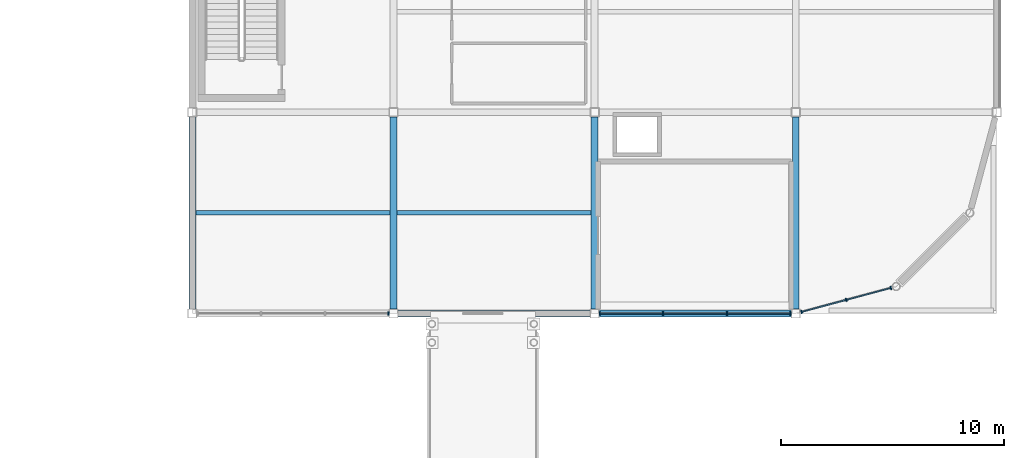
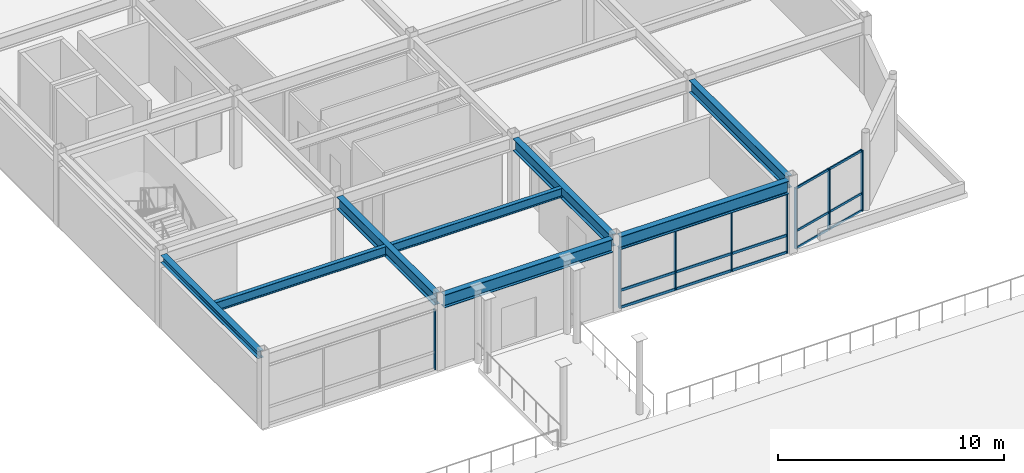
# One storey, part 29 of 53: 23 members, 8 beams, 3 elements without a shape of their own.
"""IFC4 building model written with IfcOpenShell, lengths in metres."""

from ifc_helpers import new_model, si_unit, direction, frame, origin, origin_2d, place, context, subcontext, project, spatial, rectangle, i_section, extrude, material, material_profile, profile_set, type_object, element, aggregate, save


model = new_model("IFC4")

# Units and contexts
model_context = context("Model", 3, precision=1e-05, world=origin(), true_north=direction((0.0, 1.0)))
body_context = subcontext(model_context, "Body", "Model", "MODEL_VIEW")
ifc_project = project(units=[si_unit("LENGTHUNIT", "METRE"), si_unit("AREAUNIT", "SQUARE_METRE"), si_unit("VOLUMEUNIT", "CUBIC_METRE"), si_unit("PLANEANGLEUNIT", "RADIAN"), si_unit("MASSUNIT", "GRAM", prefix="KILO")], contexts=[model_context])

# Site, building, storey
site_placement = place(None, origin())
site = spatial("IfcSite", under=ifc_project, at=site_placement, CompositionType="ELEMENT")
building_placement = place(site_placement, origin())
building = spatial("IfcBuilding", under=site, at=building_placement, Name="Suzunagisa Mobility Hub", CompositionType="ELEMENT")
storey_placement = place(building_placement, frame((0.0, 0.0, 17.699951171875)))
storey = spatial("IfcBuildingStorey", under=building, at=storey_placement, Name="L04", CompositionType="ELEMENT", Elevation=17.699951171875)

# Curtain wall, members
ifc_material_1 = material(Name="Thermally Broken Anodized Aluminum and Low-E Glazing", Category="aluminium")
curtain_wall_type_1 = type_object("IfcCurtainWallType", Name="Unitised Curtain Wall CW-18 8500x3200", PredefinedType="USERDEFINED", material=ifc_material_1)
curtain_wall_1_placement = place(storey_placement, origin())
curtain_wall_1 = element("IfcCurtainWall", 1, at=curtain_wall_1_placement, inside=storey, type_object=curtain_wall_type_1, Name="L04 Unitised Curtain Wall CW-215", ObjectType="UNITISED CURTAIN WALL", PredefinedType="USERDEFINED")
ifc_material_2 = material(Name="Anodized Aluminum 6063-T6", Category="aluminium")
ifc_material_profile_1 = material_profile(ifc_material_2, rectangle(XDim=0.06494140625, YDim=0.139892578125, at=origin_2d()), Name="TRAN-65x140")
ifc_profile_set_1 = profile_set([ifc_material_profile_1], Name="Anodized Aluminum 6063-T6")
member_type_1 = type_object("IfcMemberType", Name="Curtain Wall Framing CM-01 TRAN-65x140", PredefinedType="USERDEFINED", material=ifc_profile_set_1)
member_1_placement = place(storey_placement, frame((162.258056640625, 44.0, 0.032470703125), z_axis=(1.0, 0.0, 0.0), x_axis=(0.0, 1.0, 0.0)))
member_1 = element("IfcMember", 2, at=member_1_placement, type_object=member_type_1, Name="Curtain Wall Transom 215-T1.1", ObjectType="TRANSOM", PredefinedType="USERDEFINED", context=body_context, shape_type="SweptSolid", body=[
    extrude(rectangle(XDim=0.06494140625, YDim=0.139892578125, at=origin_2d()), origin(), (0.0, 0.0, 1.0), 2.78076171875),
])
member_2_placement = place(storey_placement, frame((162.258056640625, 44.0, 0.949951171875), z_axis=(1.0, 0.0, 0.0), x_axis=(0.0, 1.0, 0.0)))
member_2 = element("IfcMember", 3, at=member_2_placement, type_object=member_type_1, Name="Curtain Wall Transom 215-T1.2", ObjectType="TRANSOM", PredefinedType="USERDEFINED", context=body_context, shape_type="SweptSolid", body=[
    extrude(rectangle(XDim=0.06494140625, YDim=0.139892578125, at=origin_2d()), origin(), (0.0, 0.0, 1.0), 2.78076171875),
])
member_3_placement = place(storey_placement, frame((162.258056640625, 44.0, 3.20751953125), z_axis=(1.0, 0.0, 0.0), x_axis=(0.0, 1.0, 0.0)))
member_3 = element("IfcMember", 4, at=member_3_placement, type_object=member_type_1, Name="Curtain Wall Transom 215-T1.3", ObjectType="TRANSOM", PredefinedType="USERDEFINED", context=body_context, shape_type="SweptSolid", body=[
    extrude(rectangle(XDim=0.06494140625, YDim=0.139892578125, at=origin_2d()), origin(), (0.0, 0.0, 1.0), 2.78076171875),
])
member_4_placement = place(storey_placement, frame((165.0947265625, 44.0, 0.032470703125), z_axis=(1.0, 0.0, 0.0), x_axis=(0.0, 1.0, 0.0)))
member_4 = element("IfcMember", 5, at=member_4_placement, type_object=member_type_1, Name="Curtain Wall Transom 215-T2.1", ObjectType="TRANSOM", PredefinedType="USERDEFINED", context=body_context, shape_type="SweptSolid", body=[
    extrude(rectangle(XDim=0.06494140625, YDim=0.139892578125, at=origin_2d()), origin(), (0.0, 0.0, 1.0), 2.810546875),
])
member_5_placement = place(storey_placement, frame((165.0947265625, 44.0, 0.949951171875), z_axis=(1.0, 0.0, 0.0), x_axis=(0.0, 1.0, 0.0)))
member_5 = element("IfcMember", 6, at=member_5_placement, type_object=member_type_1, Name="Curtain Wall Transom 215-T2.2", ObjectType="TRANSOM", PredefinedType="USERDEFINED", context=body_context, shape_type="SweptSolid", body=[
    extrude(rectangle(XDim=0.06494140625, YDim=0.139892578125, at=origin_2d()), origin(), (0.0, 0.0, 1.0), 2.810546875),
])
member_6_placement = place(storey_placement, frame((165.0947265625, 44.0, 3.20751953125), z_axis=(1.0, 0.0, 0.0), x_axis=(0.0, 1.0, 0.0)))
member_6 = element("IfcMember", 7, at=member_6_placement, type_object=member_type_1, Name="Curtain Wall Transom 215-T2.3", ObjectType="TRANSOM", PredefinedType="USERDEFINED", context=body_context, shape_type="SweptSolid", body=[
    extrude(rectangle(XDim=0.06494140625, YDim=0.139892578125, at=origin_2d()), origin(), (0.0, 0.0, 1.0), 2.810546875),
])
member_7_placement = place(storey_placement, frame((167.961181640625, 44.0, 0.032470703125), z_axis=(1.0, 0.0, 0.0), x_axis=(0.0, 1.0, 0.0)))
member_7 = element("IfcMember", 8, at=member_7_placement, type_object=member_type_1, Name="Curtain Wall Transom 215-T3.1", ObjectType="TRANSOM", PredefinedType="USERDEFINED", context=body_context, shape_type="SweptSolid", body=[
    extrude(rectangle(XDim=0.06494140625, YDim=0.139892578125, at=origin_2d()), origin(), (0.0, 0.0, 1.0), 2.78076171875),
])
member_8_placement = place(storey_placement, frame((167.961181640625, 44.0, 0.949951171875), z_axis=(1.0, 0.0, 0.0), x_axis=(0.0, 1.0, 0.0)))
member_8 = element("IfcMember", 9, at=member_8_placement, type_object=member_type_1, Name="Curtain Wall Transom 215-T3.2", ObjectType="TRANSOM", PredefinedType="USERDEFINED", context=body_context, shape_type="SweptSolid", body=[
    extrude(rectangle(XDim=0.06494140625, YDim=0.139892578125, at=origin_2d()), origin(), (0.0, 0.0, 1.0), 2.78076171875),
])
member_9_placement = place(storey_placement, frame((167.961181640625, 44.0, 3.20751953125), z_axis=(1.0, 0.0, 0.0), x_axis=(0.0, 1.0, 0.0)))
member_9 = element("IfcMember", 10, at=member_9_placement, type_object=member_type_1, Name="Curtain Wall Transom 215-T3.3", ObjectType="TRANSOM", PredefinedType="USERDEFINED", context=body_context, shape_type="SweptSolid", body=[
    extrude(rectangle(XDim=0.06494140625, YDim=0.139892578125, at=origin_2d()), origin(), (0.0, 0.0, 1.0), 2.78076171875),
])

curtain_wall_type_2 = type_object("IfcCurtainWallType", Name="Unitised Curtain Wall CW-06 4250x3300", PredefinedType="USERDEFINED", material=ifc_material_1)
curtain_wall_2_placement = place(storey_placement, origin())
curtain_wall_2 = element("IfcCurtainWall", 11, at=curtain_wall_2_placement, inside=storey, type_object=curtain_wall_type_2, Name="L04 Unitised Curtain Wall CW-216", ObjectType="UNITISED CURTAIN WALL", PredefinedType="USERDEFINED")
ifc_material_profile_2 = material_profile(ifc_material_2, rectangle(XDim=0.06005859375, YDim=0.1201171875, at=origin_2d()), Name="TRAN-60x120")
ifc_profile_set_2 = profile_set([ifc_material_profile_2], Name="Anodized Aluminum 6063-T6")
member_type_2 = type_object("IfcMemberType", Name="Curtain Wall Framing CM-02 TRAN-60x120", PredefinedType="USERDEFINED", material=ifc_profile_set_2)
member_10_placement = place(storey_placement, frame((171.29248046875, 44.078369140625, 0.030029296875), z_axis=(0.965930179601, 0.258802797775, 0.0), x_axis=(-0.258802797775, 0.965930179601, 0.0)))
member_10 = element("IfcMember", 12, at=member_10_placement, type_object=member_type_2, Name="Curtain Wall Transom 216-T1.1", ObjectType="TRANSOM", PredefinedType="USERDEFINED", context=body_context, shape_type="SweptSolid", body=[
    extrude(rectangle(XDim=0.06005859375, YDim=0.1201171875, at=origin_2d()), origin(), (0.0, 0.0, 1.0), 2.01220703125),
])
member_11_placement = place(storey_placement, frame((171.29248046875, 44.078369140625, 0.949951171875), z_axis=(0.965930179601, 0.258802797775, 0.0), x_axis=(-0.258802797775, 0.965930179601, 0.0)))
member_11 = element("IfcMember", 13, at=member_11_placement, type_object=member_type_2, Name="Curtain Wall Transom 216-T1.2", ObjectType="TRANSOM", PredefinedType="USERDEFINED", context=body_context, shape_type="SweptSolid", body=[
    extrude(rectangle(XDim=0.06005859375, YDim=0.1201171875, at=origin_2d()), origin(), (0.0, 0.0, 1.0), 2.01220703125),
])
member_12_placement = place(storey_placement, frame((171.29248046875, 44.078369140625, 3.260009765625), z_axis=(0.965930179601, 0.258802797775, 0.0), x_axis=(-0.258802797775, 0.965930179601, 0.0)))
member_12 = element("IfcMember", 14, at=member_12_placement, type_object=member_type_2, Name="Curtain Wall Transom 216-T1.3", ObjectType="TRANSOM", PredefinedType="USERDEFINED", context=body_context, shape_type="SweptSolid", body=[
    extrude(rectangle(XDim=0.06005859375, YDim=0.1201171875, at=origin_2d()), origin(), (0.0, 0.0, 1.0), 2.01220703125),
])
member_13_placement = place(storey_placement, frame((173.290283203125, 44.61376953125, 0.030029296875), z_axis=(0.965922051438, 0.258833132628, 0.0), x_axis=(-0.258833132628, 0.965922051438, 0.0)))
member_13 = element("IfcMember", 15, at=member_13_placement, type_object=member_type_2, Name="Curtain Wall Transom 216-T2.1", ObjectType="TRANSOM", PredefinedType="USERDEFINED", context=body_context, shape_type="SweptSolid", body=[
    extrude(rectangle(XDim=0.06005859375, YDim=0.1201171875, at=origin_2d()), origin(), (0.0, 0.0, 1.0), 2.011962890625),
])
member_14_placement = place(storey_placement, frame((173.290283203125, 44.61376953125, 0.949951171875), z_axis=(0.965922051438, 0.258833132628, 0.0), x_axis=(-0.258833132628, 0.965922051438, 0.0)))
member_14 = element("IfcMember", 16, at=member_14_placement, type_object=member_type_2, Name="Curtain Wall Transom 216-T2.2", ObjectType="TRANSOM", PredefinedType="USERDEFINED", context=body_context, shape_type="SweptSolid", body=[
    extrude(rectangle(XDim=0.06005859375, YDim=0.1201171875, at=origin_2d()), origin(), (0.0, 0.0, 1.0), 2.011962890625),
])
member_15_placement = place(storey_placement, frame((173.290283203125, 44.61376953125, 3.260009765625), z_axis=(0.965922051438, 0.258833132628, 0.0), x_axis=(-0.258833132628, 0.965922051438, 0.0)))
member_15 = element("IfcMember", 17, at=member_15_placement, type_object=member_type_2, Name="Curtain Wall Transom 216-T2.3", ObjectType="TRANSOM", PredefinedType="USERDEFINED", context=body_context, shape_type="SweptSolid", body=[
    extrude(rectangle(XDim=0.06005859375, YDim=0.1201171875, at=origin_2d()), origin(), (0.0, 0.0, 1.0), 2.011962890625),
])

# Curtain wall, member
curtain_wall_3_placement = place(storey_placement, origin())
curtain_wall_3 = element("IfcCurtainWall", 18, at=curtain_wall_3_placement, inside=storey, type_object=curtain_wall_type_1, Name="L04 Unitised Curtain Wall CW-214", ObjectType="UNITISED CURTAIN WALL", PredefinedType="USERDEFINED")
ifc_material_profile_3 = material_profile(ifc_material_2, rectangle(XDim=0.06005859375, YDim=0.14990234375, at=origin_2d()), Name="MULL-60x150")
ifc_profile_set_3 = profile_set([ifc_material_profile_3], Name="Anodized Aluminum 6063-T6")
member_type_3 = type_object("IfcMemberType", Name="Curtain Wall Framing CM-03 MULL-60x150", PredefinedType="MULLION", material=ifc_profile_set_3)
member_16_placement = place(storey_placement, frame((152.77001953125, 44.0, 0.0), z_axis=(0.0, 0.0, 1.0), x_axis=(1.0, 0.0, 0.0)))
member_16 = element("IfcMember", 19, at=member_16_placement, type_object=member_type_3, Name="Curtain Wall Mullion 214-M4", PredefinedType="MULLION", context=body_context, shape_type="SweptSolid", body=[
    extrude(rectangle(XDim=0.06005859375, YDim=0.14990234375, at=origin_2d()), origin(), (0.0, 0.0, 1.0), 3.239990234375),
])
aggregate(curtain_wall_3, [member_16])

# Member
member_17_placement = place(storey_placement, frame((162.22998046875, 44.0, 0.0), z_axis=(0.0, 0.0, 1.0), x_axis=(1.0, 0.0, 0.0)))
member_17 = element("IfcMember", 20, at=member_17_placement, type_object=member_type_3, Name="Curtain Wall Mullion 215-M1", PredefinedType="MULLION", context=body_context, shape_type="SweptSolid", body=[
    extrude(rectangle(XDim=0.06005859375, YDim=0.14990234375, at=origin_2d()), origin(), (0.0, 0.0, 1.0), 3.239990234375),
])

member_18_placement = place(storey_placement, frame((165.066650390625, 44.0, 0.0), z_axis=(0.0, 0.0, 1.0), x_axis=(1.0, 0.0, 0.0)))
member_18 = element("IfcMember", 21, at=member_18_placement, type_object=member_type_3, Name="Curtain Wall Mullion 215-M2", PredefinedType="MULLION", context=body_context, shape_type="SweptSolid", body=[
    extrude(rectangle(XDim=0.06005859375, YDim=0.14990234375, at=origin_2d()), origin(), (0.0, 0.0, 1.0), 3.239990234375),
])

member_19_placement = place(storey_placement, frame((167.933349609375, 44.0, 0.0), z_axis=(0.0, 0.0, 1.0), x_axis=(1.0, 0.0, 0.0)))
member_19 = element("IfcMember", 22, at=member_19_placement, type_object=member_type_3, Name="Curtain Wall Mullion 215-M3", PredefinedType="MULLION", context=body_context, shape_type="SweptSolid", body=[
    extrude(rectangle(XDim=0.06005859375, YDim=0.14990234375, at=origin_2d()), origin(), (0.0, 0.0, 1.0), 3.239990234375),
])

member_20_placement = place(storey_placement, frame((170.77001953125, 44.0, 0.0), z_axis=(0.0, 0.0, 1.0), x_axis=(1.0, 0.0, 0.0)))
member_20 = element("IfcMember", 23, at=member_20_placement, type_object=member_type_3, Name="Curtain Wall Mullion 215-M4", PredefinedType="MULLION", context=body_context, shape_type="SweptSolid", body=[
    extrude(rectangle(XDim=0.06005859375, YDim=0.14990234375, at=origin_2d()), origin(), (0.0, 0.0, 1.0), 3.239990234375),
])

aggregate(curtain_wall_1, [member_17, member_18, member_19, member_20, member_1, member_2, member_3, member_4, member_5, member_6, member_7, member_8, member_9])

member_21_placement = place(storey_placement, frame((171.265625, 44.0712890625, 0.0), z_axis=(0.0, 0.0, 1.0), x_axis=(0.965927308128, 0.25881351474, 0.0)))
member_21 = element("IfcMember", 24, at=member_21_placement, type_object=member_type_3, Name="Curtain Wall Mullion 216-M1", PredefinedType="MULLION", context=body_context, shape_type="SweptSolid", body=[
    extrude(rectangle(XDim=0.06005859375, YDim=0.14990234375, at=origin_2d()), origin(), (0.0, 0.0, 1.0), 3.2900390625),
])

member_22_placement = place(storey_placement, frame((173.26318359375, 44.6064453125, 0.0), z_axis=(0.0, 0.0, 1.0), x_axis=(0.965927308128, 0.25881351474, 0.0)))
member_22 = element("IfcMember", 25, at=member_22_placement, type_object=member_type_3, Name="Curtain Wall Mullion 216-M2", PredefinedType="MULLION", context=body_context, shape_type="SweptSolid", body=[
    extrude(rectangle(XDim=0.06005859375, YDim=0.14990234375, at=origin_2d()), origin(), (0.0, 0.0, 1.0), 3.2900390625),
])

member_23_placement = place(storey_placement, frame((175.2607421875, 45.1416015625, 0.0), z_axis=(0.0, 0.0, 1.0), x_axis=(0.965927308128, 0.25881351474, 0.0)))
member_23 = element("IfcMember", 26, at=member_23_placement, type_object=member_type_3, Name="Curtain Wall Mullion 216-M3", PredefinedType="MULLION", context=body_context, shape_type="SweptSolid", body=[
    extrude(rectangle(XDim=0.06005859375, YDim=0.14990234375, at=origin_2d()), origin(), (0.0, 0.0, 1.0), 3.2900390625),
])

aggregate(curtain_wall_2, [member_21, member_22, member_23, member_10, member_11, member_12, member_13, member_14, member_15])

# Beams
ifc_material_3 = material(Name="Steel SN490B", Category="steel")
ifc_material_profile_4 = material_profile(ifc_material_3, i_section(OverallWidth=0.300048828125, OverallDepth=0.64990234375, WebThickness=0.012939453125, FlangeThickness=0.02197265625, FilletRadius=0.01611328125, at=origin_2d()), Name="H-650x300x13x22")
ifc_profile_set_4 = profile_set([ifc_material_profile_4], Name="Steel SN490B")
beam_type_1 = type_object("IfcBeamType", Name="Steel Beam BM-10 H-650x300x13x22", PredefinedType="BEAM", material=ifc_profile_set_4)
for number, where, z_axis, x_axis, name in (
    (27, (153.0, 44.196044921875, 3.614990234375), (0.0, 1.0, 0.0), (-1.0, 0.0, 0.0), "L04 Primary Girder GY-2072"),
    (28, (162.0, 44.196044921875, 3.614990234375), (0.0, 1.0, 0.0), (-1.0, 0.0, 0.0), "L04 Primary Girder GY-2078"),
    (29, (171.0, 44.196044921875, 3.614990234375), (0.0, 1.0, 0.0), (-1.0, 0.0, 0.0), "L04 Primary Girder GY-2084"),
):
    element("IfcBeam", number, at=place(storey_placement, frame(where, z_axis=z_axis, x_axis=x_axis)), inside=storey, type_object=beam_type_1, Name=name, PredefinedType="BEAM", context=body_context, shape_type="SweptSolid", body=[
        extrude(i_section(OverallWidth=0.300048828125, OverallDepth=0.64990234375, WebThickness=0.012939453125, FlangeThickness=0.02197265625, FilletRadius=0.01611328125, at=origin_2d()), origin(), (0.0, 0.0, 1.0), 8.60791015625),
    ])
ifc_material_profile_5 = material_profile(ifc_material_3, i_section(OverallWidth=0.300048828125, OverallDepth=0.699951171875, WebThickness=0.012939453125, FlangeThickness=0.02392578125, FilletRadius=0.01806640625, at=origin_2d()), Name="H-700x300x13x24")
ifc_profile_set_5 = profile_set([ifc_material_profile_5], Name="Steel SN490B")
beam_type_2 = type_object("IfcBeamType", Name="Steel Beam BM-11 H-700x300x13x24", PredefinedType="BEAM", material=ifc_profile_set_5)
for number, where, z_axis, x_axis, name in (
    (30, (153.196044921875, 44.0, 3.590087890625), (1.0, 0.0, 0.0), (0.0, 1.0, 0.0), "L04 Primary Girder GX-2041"),
    (31, (162.196044921875, 44.0, 3.590087890625), (1.0, 0.0, 0.0), (0.0, 1.0, 0.0), "L04 Primary Girder GX-2042"),
):
    element("IfcBeam", number, at=place(storey_placement, frame(where, z_axis=z_axis, x_axis=x_axis)), inside=storey, type_object=beam_type_2, Name=name, PredefinedType="BEAM", context=body_context, shape_type="SweptSolid", body=[
        extrude(i_section(OverallWidth=0.300048828125, OverallDepth=0.699951171875, WebThickness=0.012939453125, FlangeThickness=0.02392578125, FilletRadius=0.01806640625, at=origin_2d()), origin(), (0.0, 0.0, 1.0), 8.60791015625),
    ])
ifc_material_profile_6 = material_profile(ifc_material_3, i_section(OverallWidth=0.300048828125, OverallDepth=0.389892578125, WebThickness=0.010009765625, FlangeThickness=0.01611328125, FilletRadius=0.012939453125, at=origin_2d()), Name="H-390x300x10x16")
ifc_profile_set_6 = profile_set([ifc_material_profile_6], Name="Steel SN490B")
beam_type_3 = type_object("IfcBeamType", Name="Steel Beam BM-13 H-390x300x10x16", PredefinedType="SPANDREL", material=ifc_profile_set_6)
beam_placement = place(storey_placement, frame((144.0, 44.196044921875, 3.7451171875), z_axis=(0.0, 1.0, 0.0), x_axis=(-1.0, 0.0, 0.0)))
element("IfcBeam", 32, at=beam_placement, inside=storey, type_object=beam_type_3, Name="L04 Primary Girder GY-2066", PredefinedType="SPANDREL", context=body_context, shape_type="SweptSolid", body=[
    extrude(i_section(OverallWidth=0.300048828125, OverallDepth=0.389892578125, WebThickness=0.010009765625, FlangeThickness=0.01611328125, FilletRadius=0.012939453125, at=origin_2d()), origin(), (0.0, 0.0, 1.0), 8.60791015625),
])
ifc_material_4 = material(Name="Steel SN400B", Category="steel")
ifc_material_profile_7 = material_profile(ifc_material_4, i_section(OverallWidth=0.199951171875, OverallDepth=0.5, WebThickness=0.010009765625, FlangeThickness=0.01611328125, FilletRadius=0.012939453125, at=origin_2d()), Name="H-500x200x10x16")
ifc_profile_set_7 = profile_set([ifc_material_profile_7], Name="Steel SN400B")
beam_type_4 = type_object("IfcBeamType", Name="Steel Beam BM-18 H-500x200x10x16", PredefinedType="JOIST", material=ifc_profile_set_7)
for number, where, z_axis, x_axis, name in (
    (33, (144.14990234375, 48.5, 3.68994140625), (1.0, 0.0, 0.0), (0.0, 1.0, 0.0), "L04 Composite Floor Joist J-2096"),
    (34, (153.14990234375, 48.5, 3.68994140625), (1.0, 0.0, 0.0), (0.0, 1.0, 0.0), "L04 Composite Floor Joist J-2099"),
):
    element("IfcBeam", number, at=place(storey_placement, frame(where, z_axis=z_axis, x_axis=x_axis)), inside=storey, type_object=beam_type_4, Name=name, PredefinedType="JOIST", context=body_context, shape_type="SweptSolid", body=[
        extrude(i_section(OverallWidth=0.199951171875, OverallDepth=0.5, WebThickness=0.010009765625, FlangeThickness=0.01611328125, FilletRadius=0.012939453125, at=origin_2d()), origin(), (0.0, 0.0, 1.0), 8.7001953125),
    ])

save(model, "model.ifc")
